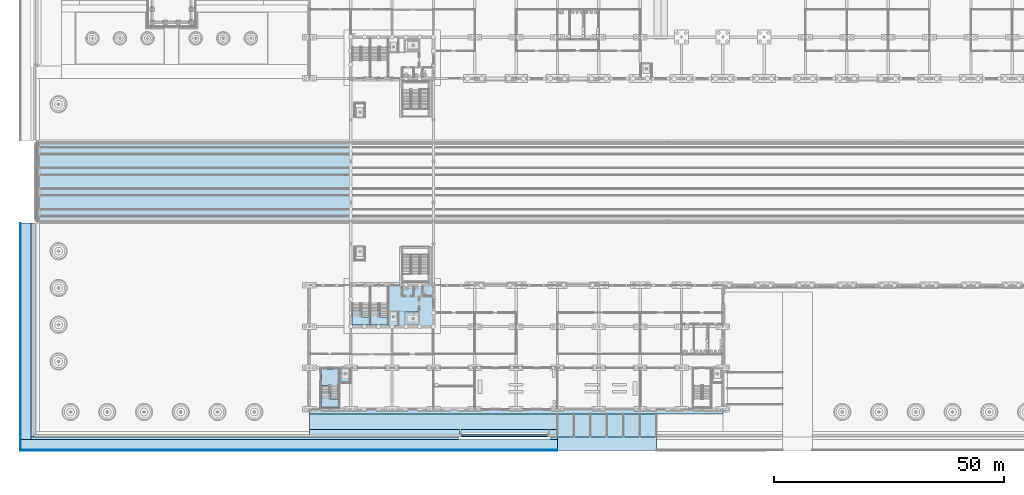
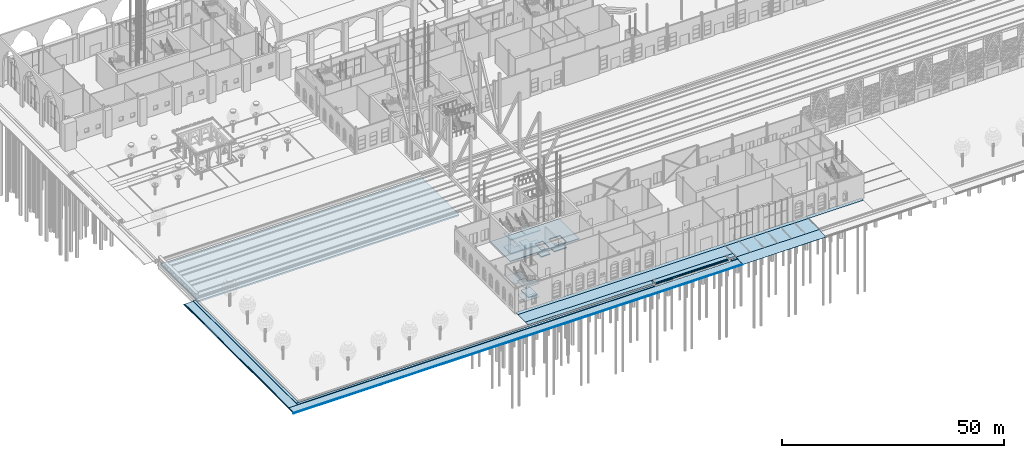
# One storey, part 74 of 250: 27 slabs, 3 elements without a shape of their own.
"""IFC4 building model written with IfcOpenShell, lengths in metres."""

from ifc_helpers import new_model, si_unit, direction, frame, origin, place, context, subcontext, project, spatial, polyline, outline, extrude, material, layer, layer_set, type_object, element, aggregate, save


model = new_model("IFC4")

# Units and contexts
model_context = context("Model", 3, precision=1e-05, world=origin(), true_north=direction((0.0, 1.0)))
body_context = subcontext(model_context, "Body", "Model", "MODEL_VIEW")
ifc_project = project(units=[si_unit("LENGTHUNIT", "METRE"), si_unit("AREAUNIT", "SQUARE_METRE"), si_unit("VOLUMEUNIT", "CUBIC_METRE"), si_unit("PLANEANGLEUNIT", "RADIAN"), si_unit("MASSUNIT", "GRAM", prefix="KILO")], contexts=[model_context])

# Site, building, storey
site_placement = place(None, origin())
site = spatial("IfcSite", under=ifc_project, at=site_placement, CompositionType="ELEMENT")
building_placement = place(site_placement, origin())
building = spatial("IfcBuilding", under=site, at=building_placement, Name="Baradari Gate Terminus", CompositionType="ELEMENT")
storey_placement = place(building_placement, origin())
storey = spatial("IfcBuildingStorey", under=building, at=storey_placement, Name="L00", CompositionType="ELEMENT", Elevation=0.0)

# Slabs
ifc_material_1 = material(Name="Concrete C32/40", Category="concrete")
ifc_layer_1 = layer(ifc_material_1, 0.12)
ifc_material_2 = material(Name="Asphalt")
ifc_layer_2 = layer(ifc_material_2, 0.08)
ifc_layer_set_1 = layer_set([ifc_layer_1, ifc_layer_2], Name="Concrete C32/40")
slab_type_1 = type_object("IfcSlabType", Name="Asphalt carriageway slab SL14 200", PredefinedType="BASESLAB", material=ifc_layer_set_1)
slab_1_placement = place(storey_placement, frame((0.0, 0.0, -0.199951171875)))
element("IfcSlab", 1, at=slab_1_placement, inside=storey, type_object=slab_type_1, Name="Accessible parking", PredefinedType="BASESLAB", context=body_context, shape_type="SweptSolid", body=[
    extrude(outline(polyline([(138.60009765625, 3.0), (138.60009765625, 8.0), (117.0, 8.0), (117.0, 3.0), (138.60009765625, 3.0)])), origin(), (0.0, 0.0, 1.0), 0.199951171875),
])
ifc_layer_3 = layer(ifc_material_1, 0.11)
ifc_material_3 = material(Name="Concrete paving flags", Category="concrete")
ifc_layer_4 = layer(ifc_material_3, 0.04)
ifc_layer_set_2 = layer_set([ifc_layer_3, ifc_layer_4], Name="Concrete C32/40")
slab_type_2 = type_object("IfcSlabType", Name="Concrete paving slab SL12 150", PredefinedType="BASESLAB", material=ifc_layer_set_2)
slab_2_placement = place(storey_placement, frame((0.0, 0.0, -0.14990234375)))
element("IfcSlab", 2, at=slab_2_placement, inside=storey, type_object=slab_type_2, Name="South front paving 1", PredefinedType="BASESLAB", context=body_context, shape_type="SweptSolid", body=[
    extrude(outline(polyline([(95.699951171875, 3.39990234375), (95.699951171875, 4.60009765625), (63.0, 4.60009765625), (63.0, 3.39990234375), (95.699951171875, 3.39990234375)])), origin(), (0.0, 0.0, 1.0), 0.14990234375),
])
slab_3_placement = place(storey_placement, frame((0.0, 0.0, -0.14990234375)))
element("IfcSlab", 3, at=slab_3_placement, inside=storey, type_object=slab_type_2, Name="South front paving 2", PredefinedType="BASESLAB", context=body_context, shape_type="SweptSolid", body=[
    extrude(outline(polyline([(117.0, 3.39990234375), (117.0, 4.60009765625), (115.300048828125, 4.60009765625), (115.300048828125, 3.39990234375), (117.0, 3.39990234375)])), origin(), (0.0, 0.0, 1.0), 0.14990234375),
])
slab_4_placement = place(storey_placement, frame((0.0, 0.0, -0.14990234375)))
element("IfcSlab", 4, at=slab_4_placement, inside=storey, type_object=slab_type_2, Name="South front paving 4", PredefinedType="BASESLAB", context=body_context, shape_type="SweptSolid", body=[
    extrude(outline(polyline([(117.0, 4.60009765625), (117.0, 8.0), (63.0, 8.0), (63.0, 4.60009765625), (117.0, 4.60009765625)])), origin(), (0.0, 0.0, 1.0), 0.14990234375),
])
slab_5_placement = place(storey_placement, frame((0.0, 0.0, -0.14990234375)))
element("IfcSlab", 5, at=slab_5_placement, inside=storey, type_object=slab_type_2, Name="South front paving 5", PredefinedType="BASESLAB", context=body_context, shape_type="SweptSolid", body=[
    extrude(outline(polyline([(153.0, 8.0), (153.0, 9.0), (63.0, 9.0), (63.0, 8.0), (153.0, 8.0)])), origin(), (0.0, 0.0, 1.0), 0.14990234375),
])
ifc_layer_5 = layer(ifc_material_1, 0.03)
ifc_layer_6 = layer(ifc_material_2, 0.04)
ifc_layer_set_3 = layer_set([ifc_layer_5, ifc_layer_6], Name="Concrete C32/40")
slab_type_3 = type_object("IfcSlabType", Name="Dropped-kerb vehicle crossing slab SL22 70", PredefinedType="BASESLAB", material=ifc_layer_set_3)
slab_6_placement = place(storey_placement, frame((117.0, 0.0, -0.260009765625), z_axis=(0.0, -0.086346226202, 0.996265190208), x_axis=(1.0, 0.0, 0.0)))
element("IfcSlab", 6, at=slab_6_placement, inside=storey, type_object=slab_type_3, Name="Dropped-kerb crossing Accessible parking gate", PredefinedType="BASESLAB", context=body_context, shape_type="SweptSolid", body=[
    extrude(outline(polyline([(0.0, 0.0), (21.60009765625, 0.0), (21.60009765625, 3.0112464326621238), (0.0, 3.0112464326621238), (0.0, 0.0)])), origin(), (0.0, 0.0, -1.0), 0.070068359375),
])
ifc_material_4 = material(Name="Concrete C32/40", Category="concrete")
ifc_layer_7 = layer(ifc_material_4, 0.260009765625)
ifc_layer_set_4 = layer_set([ifc_layer_7], Name="Concrete C32/40")
slab_type_4 = type_object("IfcSlabType", Name="Entrance landing slab SL15 260", PredefinedType="BASESLAB", material=ifc_layer_set_4)
slab_7_placement = place(storey_placement, frame((0.0, 0.0, -0.260009765625)))
element("IfcSlab", 7, at=slab_7_placement, inside=storey, type_object=slab_type_4, Name="Entrance landing South entrance gate steps", PredefinedType="BASESLAB", context=body_context, shape_type="SweptSolid", body=[
    extrude(outline(polyline([(115.0, 3.39990234375), (115.0, 4.60009765625), (96.0, 4.60009765625), (96.0, 3.39990234375), (115.0, 3.39990234375)])), origin(), (0.0, 0.0, 1.0), 0.260009765625),
])
ifc_material_5 = material(Name="Concrete C32/40", Category="concrete")
ifc_layer_8 = layer(ifc_material_5, 0.1298828125)
ifc_layer_set_5 = layer_set([ifc_layer_8], Name="Concrete C32/40")
slab_type_5 = type_object("IfcSlabType", Name="Entrance step slab SL16 130", PredefinedType="LANDING", material=ifc_layer_set_5)
slab_8_placement = place(storey_placement, frame((0.0, 0.0, -0.260009765625)))
element("IfcSlab", 8, at=slab_8_placement, inside=storey, type_object=slab_type_5, Name="Entrance step 1 South entrance gate", PredefinedType="LANDING", context=body_context, shape_type="SweptSolid", body=[
    extrude(outline(polyline([(115.0, 3.001953125), (115.0, 3.39990234375), (96.0, 3.39990234375), (96.0, 3.001953125), (115.0, 3.001953125)])), origin(), (0.0, 0.0, 1.0), 0.130126953125),
])
ifc_layer_9 = layer(ifc_material_1, 0.04)
ifc_layer_10 = layer(ifc_material_3, 0.04)
ifc_layer_set_6 = layer_set([ifc_layer_9, ifc_layer_10], Name="Concrete C32/40")
slab_type_6 = type_object("IfcSlabType", Name="Footpath paving slab SL19 80", PredefinedType="BASESLAB", material=ifc_layer_set_6)
slab_9_placement = place(storey_placement, frame((0.0, 0.0, -0.340087890625)))
element("IfcSlab", 9, at=slab_9_placement, inside=storey, type_object=slab_type_6, Name="Footpath 7", PredefinedType="BASESLAB", context=body_context, shape_type="SweptSolid", body=[
    extrude(outline(polyline([(117.0, 0.199951171875), (117.0, 2.39990234375), (0.199951171875, 2.39990234375), (0.199951171875, 0.199951171875), (117.0, 0.199951171875)])), origin(), (0.0, 0.0, 1.0), 0.080078125),
])
slab_10_placement = place(storey_placement, frame((0.0, 0.0, -0.340087890625)))
element("IfcSlab", 10, at=slab_10_placement, inside=storey, type_object=slab_type_6, Name="Footpath 8", PredefinedType="BASESLAB", context=body_context, shape_type="SweptSolid", body=[
    extrude(outline(polyline([(2.39990234375, 2.39990234375), (2.39990234375, 49.5), (0.199951171875, 49.5), (0.199951171875, 2.39990234375), (2.39990234375, 2.39990234375)])), origin(), (0.0, 0.0, 1.0), 0.080078125),
])
ifc_layer_11 = layer(ifc_material_1, 0.04)
ifc_material_6 = material(Name="Granite kerb", Category="masonry")
ifc_layer_12 = layer(ifc_material_6, 0.04)
ifc_layer_set_7 = layer_set([ifc_layer_11, ifc_layer_12], Name="Concrete C32/40")
slab_type_7 = type_object("IfcSlabType", Name="Granite kerb course SL20 80", PredefinedType="BASESLAB", material=ifc_layer_set_7)
slab_11_placement = place(storey_placement, frame((0.0, 0.0, -0.340087890625)))
element("IfcSlab", 11, at=slab_11_placement, inside=storey, type_object=slab_type_7, Name="Kerb course 7", PredefinedType="BASESLAB", context=body_context, shape_type="SweptSolid", body=[
    extrude(outline(polyline([(117.0, 0.0), (117.0, 0.199951171875), (0.0, 0.199951171875), (0.0, 0.0), (117.0, 0.0)])), origin(), (0.0, 0.0, 1.0), 0.080078125),
])
slab_12_placement = place(storey_placement, frame((0.0, 0.0, -0.340087890625)))
element("IfcSlab", 12, at=slab_12_placement, inside=storey, type_object=slab_type_7, Name="Kerb course 8", PredefinedType="BASESLAB", context=body_context, shape_type="SweptSolid", body=[
    extrude(outline(polyline([(0.199951171875, 0.199951171875), (0.199951171875, 49.5), (0.0, 49.5), (0.0, 0.199951171875), (0.199951171875, 0.199951171875)])), origin(), (0.0, 0.0, 1.0), 0.080078125),
])
ifc_material_7 = material(Name="Concrete C35/45", Category="concrete")
ifc_layer_13 = layer(ifc_material_7, 0.199951171875)
ifc_layer_set_8 = layer_set([ifc_layer_13], Name="Concrete C35/45")
slab_type_8 = type_object("IfcSlabType", Name="Ground slab SL3 200", PredefinedType="BASESLAB", material=ifc_layer_set_8)
slab_13_placement = place(storey_placement, frame((0.0, 0.0, -0.199951171875)))
element("IfcSlab", 13, at=slab_13_placement, inside=storey, type_object=slab_type_8, Name="Core floor GS", PredefinedType="BASESLAB", context=body_context, shape_type="SweptSolid", body=[
    extrude(outline(polyline([(72.0, 36.0), (72.0, 27.0), (90.0, 27.0), (90.0, 36.0), (72.0, 36.0)]), holes=[polyline([(86.800048828125, 30.199951171875), (83.89990234375, 30.199951171875), (83.89990234375, 27.300048828125), (86.800048828125, 27.300048828125), (86.800048828125, 30.199951171875)]), polyline([(80.300048828125, 30.199951171875), (80.300048828125, 27.300048828125), (82.300048828125, 27.300048828125), (82.300048828125, 30.199951171875), (80.300048828125, 30.199951171875)])]), origin(), (0.0, 0.0, 1.0), 0.199951171875),
])
ifc_material_8 = material(Name="Concrete C32/40", Category="concrete")
ifc_layer_14 = layer(ifc_material_8, 0.300048828125)
ifc_layer_set_9 = layer_set([ifc_layer_14], Name="Concrete C32/40")
slab_type_9 = type_object("IfcSlabType", Name="Lift pit slab LP-1 300", PredefinedType="BASESLAB", material=ifc_layer_set_9)
slab_14_placement = place(storey_placement, frame((0.0, 0.0, -1.89990234375)))
element("IfcSlab", 14, at=slab_14_placement, inside=storey, type_object=slab_type_9, Name="Lift pit slab LP-1 LGS1", PredefinedType="BASESLAB", context=body_context, shape_type="SweptSolid", body=[
    extrude(outline(polyline([(80.10009765625, 27.10009765625), (80.10009765625, 30.39990234375), (82.5, 30.39990234375), (82.5, 27.10009765625), (80.10009765625, 27.10009765625)])), origin(), (0.0, 0.0, 1.0), 0.2998046875),
])
slab_15_placement = place(storey_placement, frame((0.0, 0.0, -1.89990234375)))
element("IfcSlab", 15, at=slab_15_placement, inside=storey, type_object=slab_type_9, Name="Lift pit slab LP-1 LGS2", PredefinedType="BASESLAB", context=body_context, shape_type="SweptSolid", body=[
    extrude(outline(polyline([(83.699951171875, 27.449951171875), (83.699951171875, 30.050048828125), (87.0, 30.050048828125), (87.0, 27.449951171875), (83.699951171875, 27.449951171875)])), origin(), (0.0, 0.0, 1.0), 0.2998046875),
])
slab_16_placement = place(storey_placement, frame((0.0, 0.0, -1.89990234375)))
element("IfcSlab", 16, at=slab_16_placement, inside=storey, type_object=slab_type_9, Name="Lift pit slab LP-1 LSW1", PredefinedType="BASESLAB", context=body_context, shape_type="SweptSolid", body=[
    extrude(outline(polyline([(69.60009765625, 14.699951171875), (69.60009765625, 18.0), (72.0, 18.0), (72.0, 14.699951171875), (69.60009765625, 14.699951171875)])), origin(), (0.0, 0.0, 1.0), 0.2998046875),
])
ifc_material_9 = material(Name="Sandstone masonry", Category="masonry")
ifc_layer_15 = layer(ifc_material_9, 0.2099609375)
ifc_layer_set_10 = layer_set([ifc_layer_15], Name="Sandstone masonry")
slab_type_10 = type_object("IfcSlabType", Name="Sandstone plinth step PL-1 210", PredefinedType="BASESLAB", material=ifc_layer_set_10)
slab_17_placement = place(storey_placement, frame((0.0, 0.0, -0.340087890625)))
element("IfcSlab", 17, at=slab_17_placement, inside=storey, type_object=slab_type_10, Name="Plinth step 9", PredefinedType="BASESLAB", context=body_context, shape_type="SweptSolid", body=[
    extrude(outline(polyline([(117.0, 2.39990234375), (117.0, 3.0), (115.5, 3.0), (115.5, 2.39990234375), (117.0, 2.39990234375)])), origin(), (0.0, 0.0, 1.0), 0.210205078125),
])
slab_18_placement = place(storey_placement, frame((0.0, 0.0, -0.340087890625)))
element("IfcSlab", 18, at=slab_18_placement, inside=storey, type_object=slab_type_10, Name="Plinth step 10", PredefinedType="BASESLAB", context=body_context, shape_type="SweptSolid", body=[
    extrude(outline(polyline([(95.5, 2.39990234375), (95.5, 3.0), (2.39990234375, 3.0), (2.39990234375, 2.39990234375), (95.5, 2.39990234375)])), origin(), (0.0, 0.0, 1.0), 0.210205078125),
])
slab_19_placement = place(storey_placement, frame((0.0, 0.0, -0.340087890625)))
element("IfcSlab", 19, at=slab_19_placement, inside=storey, type_object=slab_type_10, Name="Plinth step 11", PredefinedType="BASESLAB", context=body_context, shape_type="SweptSolid", body=[
    extrude(outline(polyline([(3.0, 3.0), (3.0, 49.5), (2.39990234375, 49.5), (2.39990234375, 3.0), (3.0, 3.0)])), origin(), (0.0, 0.0, 1.0), 0.210205078125),
])

# Stair, slabs
ifc_material_10 = material(Name="Concrete C32/40", Category="concrete")
stair_type_1 = type_object("IfcStairType", Name="Exit stair ST-SW1 riser 170 x 1800", PredefinedType="DOUBLE_RETURN_STAIR", material=ifc_material_10)
stair_1_placement = place(storey_placement, origin())
stair_1 = element("IfcStair", 20, at=stair_1_placement, inside=storey, type_object=stair_type_1, Name="Stair ST-SW1 L00 to L01", PredefinedType="DOUBLE_RETURN_STAIR")
ifc_material_11 = material(Name="Concrete C32/40", Category="concrete")
ifc_layer_16 = layer(ifc_material_11, 0.175048828125)
ifc_layer_set_11 = layer_set([ifc_layer_16], Name="Concrete C32/40")
slab_type_11 = type_object("IfcSlabType", Name="Stair landing LS-4 175", PredefinedType="LANDING", material=ifc_layer_set_11)
slab_20_placement = place(storey_placement, frame((0.0, 0.0, 1.699951171875)))
slab_20 = element("IfcSlab", 21, at=slab_20_placement, type_object=slab_type_11, Name="ST-SW1 landing 1", PredefinedType="LANDING", context=body_context, shape_type="SweptSolid", body=[
    extrude(outline(polyline([(69.39990234375, 9.39990234375), (69.39990234375, 11.219970703125), (67.60009765625, 11.219970703125), (67.60009765625, 12.60009765625), (67.39990234375, 12.60009765625), (65.60009765625, 12.60009765625), (65.60009765625, 9.39990234375), (69.39990234375, 9.39990234375)])), origin(), (0.0, 0.0, 1.0), 0.175048828125),
])
slab_21_placement = place(storey_placement, frame((0.0, 0.0, 3.574951171875)))
slab_21 = element("IfcSlab", 22, at=slab_21_placement, type_object=slab_type_11, Name="ST-SW1 landing 2", PredefinedType="LANDING", context=body_context, shape_type="SweptSolid", body=[
    extrude(outline(polyline([(69.39990234375, 17.800048828125), (69.39990234375, 12.800048828125), (67.60009765625, 12.800048828125), (67.60009765625, 14.179931640625), (67.39990234375, 14.179931640625), (65.60009765625, 14.179931640625), (65.60009765625, 17.800048828125), (69.39990234375, 17.800048828125)])), origin(), (0.0, 0.0, 1.0), 0.175048828125),
])
slab_22_placement = place(storey_placement, frame((0.0, 0.0, 5.449951171875)))
slab_22 = element("IfcSlab", 23, at=slab_22_placement, type_object=slab_type_11, Name="ST-SW1 landing 3", PredefinedType="LANDING", context=body_context, shape_type="SweptSolid", body=[
    extrude(outline(polyline([(69.39990234375, 9.39990234375), (69.39990234375, 11.219970703125), (67.60009765625, 11.219970703125), (67.60009765625, 12.60009765625), (67.39990234375, 12.60009765625), (65.60009765625, 12.60009765625), (65.60009765625, 9.39990234375), (69.39990234375, 9.39990234375)])), origin(), (0.0, 0.0, 1.0), 0.175048828125),
])
aggregate(stair_1, [slab_20, slab_21, slab_22])

ifc_material_12 = material(Name="Concrete C32/40", Category="concrete")
stair_type_2 = type_object("IfcStairType", Name="Exit stair ST-GS1 riser 170 x 1800", PredefinedType="DOUBLE_RETURN_STAIR", material=ifc_material_12)
stair_2_placement = place(storey_placement, origin())
stair_2 = element("IfcStair", 24, at=stair_2_placement, inside=storey, type_object=stair_type_2, Name="Stair ST-GS1 L00 to L01", PredefinedType="DOUBLE_RETURN_STAIR")
ifc_material_13 = material(Name="Concrete C32/40", Category="concrete")
ifc_layer_17 = layer(ifc_material_13, 0.25)
ifc_layer_set_12 = layer_set([ifc_layer_17], Name="Concrete C32/40")
slab_type_12 = type_object("IfcSlabType", Name="Stair landing LS-5 250", PredefinedType="LANDING", material=ifc_layer_set_12)
slab_23_placement = place(storey_placement, frame((0.0, 0.0, 1.625)))
slab_23 = element("IfcSlab", 25, at=slab_23_placement, type_object=slab_type_12, Name="ST-GS1 landing 1", PredefinedType="LANDING", context=body_context, shape_type="SweptSolid", body=[
    extrude(outline(polyline([(76.10009765625, 27.300048828125), (76.10009765625, 29.1201171875), (74.300048828125, 29.1201171875), (74.300048828125, 30.5), (74.10009765625, 30.5), (72.300048828125, 30.5), (72.300048828125, 27.300048828125), (76.10009765625, 27.300048828125)])), origin(), (0.0, 0.0, 1.0), 0.25),
])
slab_24_placement = place(storey_placement, frame((0.0, 0.0, 5.375)))
slab_24 = element("IfcSlab", 26, at=slab_24_placement, type_object=slab_type_12, Name="ST-GS1 landing 3", PredefinedType="LANDING", context=body_context, shape_type="SweptSolid", body=[
    extrude(outline(polyline([(76.10009765625, 27.300048828125), (76.10009765625, 29.1201171875), (74.300048828125, 29.1201171875), (74.300048828125, 30.5), (74.10009765625, 30.5), (72.300048828125, 30.5), (72.300048828125, 27.300048828125), (76.10009765625, 27.300048828125)])), origin(), (0.0, 0.0, 1.0), 0.25),
])
aggregate(stair_2, [slab_23, slab_24])

ifc_material_14 = material(Name="Concrete C32/40", Category="concrete")
stair_type_3 = type_object("IfcStairType", Name="Exit stair ST-GS2 riser 170 x 1800", PredefinedType="DOUBLE_RETURN_STAIR", material=ifc_material_14)
stair_3_placement = place(storey_placement, origin())
stair_3 = element("IfcStair", 27, at=stair_3_placement, inside=storey, type_object=stair_type_3, Name="Stair ST-GS2 L00 to L01", PredefinedType="DOUBLE_RETURN_STAIR")
slab_25_placement = place(storey_placement, frame((0.0, 0.0, 1.625)))
slab_25 = element("IfcSlab", 28, at=slab_25_placement, type_object=slab_type_12, Name="ST-GS2 landing 1", PredefinedType="LANDING", context=body_context, shape_type="SweptSolid", body=[
    extrude(outline(polyline([(80.10009765625, 27.300048828125), (80.10009765625, 29.1201171875), (78.300048828125, 29.1201171875), (78.300048828125, 30.5), (78.10009765625, 30.5), (76.300048828125, 30.5), (76.300048828125, 27.300048828125), (80.10009765625, 27.300048828125)])), origin(), (0.0, 0.0, 1.0), 0.25),
])
slab_26_placement = place(storey_placement, frame((0.0, 0.0, 5.375)))
slab_26 = element("IfcSlab", 29, at=slab_26_placement, type_object=slab_type_12, Name="ST-GS2 landing 3", PredefinedType="LANDING", context=body_context, shape_type="SweptSolid", body=[
    extrude(outline(polyline([(80.10009765625, 27.300048828125), (80.10009765625, 29.1201171875), (78.300048828125, 29.1201171875), (78.300048828125, 30.5), (78.10009765625, 30.5), (76.300048828125, 30.5), (76.300048828125, 27.300048828125), (80.10009765625, 27.300048828125)])), origin(), (0.0, 0.0, 1.0), 0.25),
])
aggregate(stair_3, [slab_25, slab_26])

# Slab
ifc_material_15 = material(Name="Concrete C35/45", Category="concrete")
ifc_layer_18 = layer(ifc_material_15, 0.39990234375)
ifc_layer_set_13 = layer_set([ifc_layer_18], Name="Concrete C35/45")
slab_type_13 = type_object("IfcSlabType", Name="Track slab outside the shed SL9 400", PredefinedType="BASESLAB", material=ifc_layer_set_13)
slab_27_placement = place(storey_placement, frame((0.0, 0.0, -1.471923828125)))
element("IfcSlab", 30, at=slab_27_placement, inside=storey, type_object=slab_type_13, Name="Track slab west of the shed", PredefinedType="BASESLAB", context=body_context, shape_type="SweptSolid", body=[
    extrude(outline(polyline([(72.0, 50.050048828125), (72.0, 66.949951171875), (4.0, 66.949951171875), (4.0, 50.050048828125), (72.0, 50.050048828125)])), origin(), (0.0, 0.0, 1.0), 0.39990234375),
])

save(model, "model.ifc")
